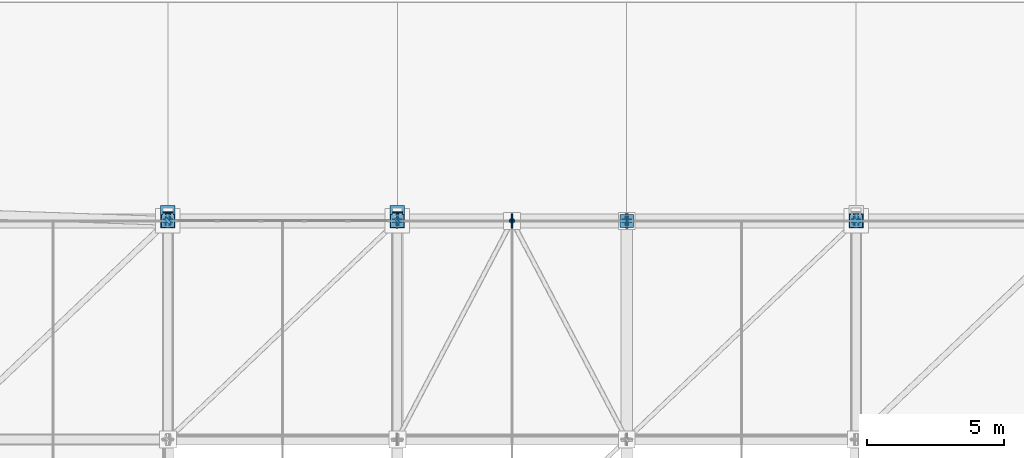
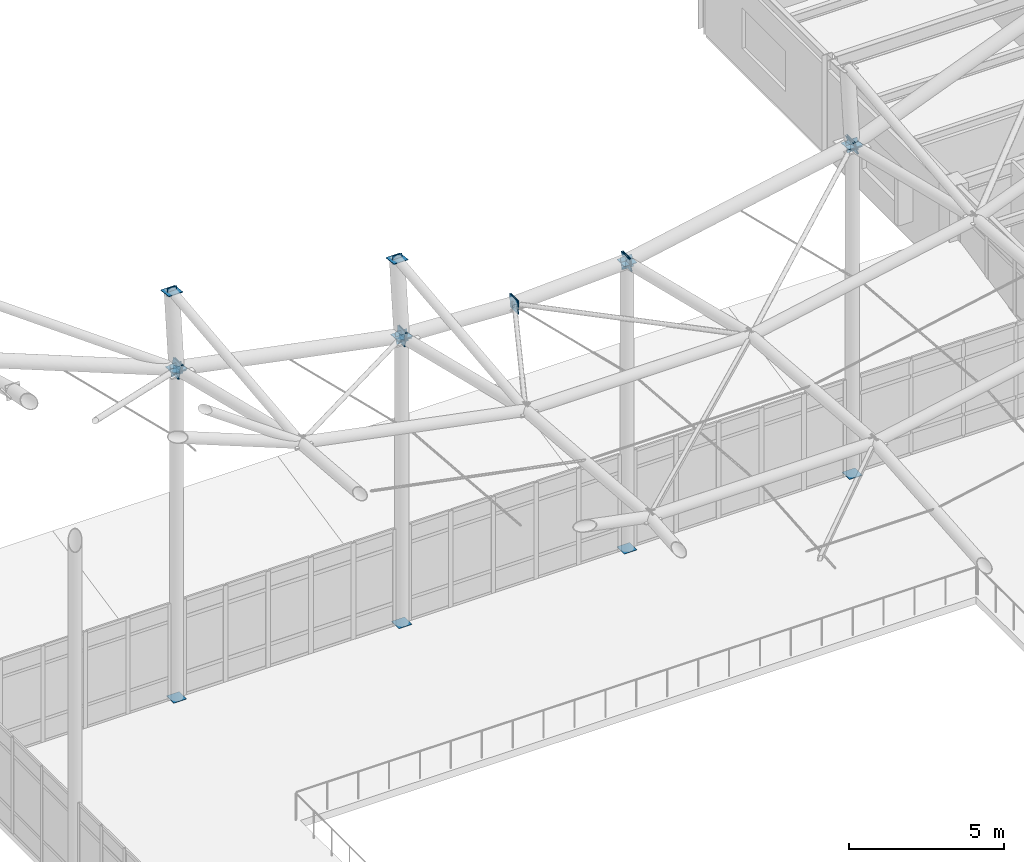
# One storey, part 111 of 138: 33 discrete accessories.
"""IFC4 building model written with IfcOpenShell, lengths in metres."""

from ifc_helpers import new_model, si_unit, direction, frame, origin, origin_2d, place, context, subcontext, project, spatial, rectangle, extrude, material, layer, layer_set, type_object, element, save


model = new_model("IFC4")

# Units and contexts
model_context = context("Model", 3, precision=1e-05, world=origin(), true_north=direction((0.0, 1.0)))
body_context = subcontext(model_context, "Body", "Model", "MODEL_VIEW")
ifc_project = project(units=[si_unit("LENGTHUNIT", "METRE"), si_unit("AREAUNIT", "SQUARE_METRE"), si_unit("VOLUMEUNIT", "CUBIC_METRE"), si_unit("PLANEANGLEUNIT", "RADIAN"), si_unit("MASSUNIT", "GRAM", prefix="KILO")], contexts=[model_context])

# Site, building, storey
site_placement = place(None, origin())
site = spatial("IfcSite", under=ifc_project, at=site_placement, CompositionType="ELEMENT")
building_placement = place(site_placement, origin())
building = spatial("IfcBuilding", under=site, at=building_placement, Name="Kranzveld Transit Interchange", CompositionType="ELEMENT")
storey_placement = place(building_placement, frame((0.0, 0.0, 5.43994140625)))
storey = spatial("IfcBuildingStorey", under=building, at=storey_placement, Name="L01", CompositionType="ELEMENT", Elevation=5.43994140625)

# Discrete accessories
ifc_material = material(Name="Steel S355JR", Category="steel")
ifc_layer = layer(ifc_material, 0.02001953125)
ifc_layer_set = layer_set([ifc_layer], Name="Steel S355JR")
discrete_accessory_type = type_object("IfcDiscreteAccessoryType", Name="Hollow Section End Cap Bracket 20 S355JR", PredefinedType="BRACKET", material=ifc_layer_set)
for number, where, z_axis, x_axis, name in (
    (1, (67.199951171875, 88.0, 0.004150390625), (0.0, 0.0, -1.0), (1.0, 0.0, 0.0), "Hollow Section End Cap C-CHS457-1"),
    (2, (67.199951171875, 88.0, 12.947998046875), (0.0, 0.0, 1.0), (1.0, 0.0, 0.0), "Hollow Section End Cap C-CHS457-2"),
    (3, (75.60009765625, 88.0, 0.004150390625), (0.0, 0.0, -1.0), (1.0, 0.0, 0.0), "Hollow Section End Cap C-CHS457-1"),
):
    element("IfcDiscreteAccessory", number, at=place(storey_placement, frame(where, z_axis=z_axis, x_axis=x_axis)), inside=storey, type_object=discrete_accessory_type, Name=name, PredefinedType="BRACKET", context=body_context, shape_type="SweptSolid", body=[
        extrude(rectangle(XDim=0.48095703125, YDim=0.48095703125, at=origin_2d()), origin(), (0.0, 0.0, 1.0), 0.02001953125),
    ])
discrete_accessory_1_placement = place(storey_placement, frame((75.60009765625, 88.0, 11.2841796875), z_axis=(0.0, 0.0, 1.0), x_axis=(1.0, 0.0, 0.0)))
element("IfcDiscreteAccessory", 4, at=discrete_accessory_1_placement, inside=storey, type_object=discrete_accessory_type, Name="Hollow Section End Cap C-CHS457-2", PredefinedType="BRACKET", context=body_context, shape_type="SweptSolid", body=[
    extrude(rectangle(XDim=0.48095703125, YDim=0.48095703125, at=origin_2d()), origin(), (0.0, 0.0, 1.0), 0.019775390625),
])
for number, where, z_axis, x_axis, name in (
    (5, (84.0, 88.0, 0.004150390625), (0.0, 0.0, -1.0), (1.0, 0.0, 0.0), "Hollow Section End Cap C-CHS457-1"),
    (6, (84.0, 88.0, 11.31396484375), (0.0, 0.0, 1.0), (1.0, 0.0, 0.0), "Hollow Section End Cap C-CHS457-2"),
    (7, (92.39990234375, 88.0, 0.004150390625), (0.0, 0.0, -1.0), (1.0, 0.0, 0.0), "Hollow Section End Cap C-CHS457-1"),
    (8, (92.39990234375, 88.0, 12.947998046875), (0.0, 0.0, 1.0), (1.0, 0.0, 0.0), "Hollow Section End Cap C-CHS457-2"),
):
    element("IfcDiscreteAccessory", number, at=place(storey_placement, frame(where, z_axis=z_axis, x_axis=x_axis)), inside=storey, type_object=discrete_accessory_type, Name=name, PredefinedType="BRACKET", context=body_context, shape_type="SweptSolid", body=[
        extrude(rectangle(XDim=0.48095703125, YDim=0.48095703125, at=origin_2d()), origin(), (0.0, 0.0, 1.0), 0.02001953125),
    ])
for number, where, z_axis, x_axis, name in (
    (9, (92.40380859375, 88.0, 12.983642578125), (-0.927643517938, 0.0, -0.373466870858), (0.0, -1.0, 0.0), "Hollow Section End Cap B-RNG508-2"),
    (10, (92.39599609375, 88.0, 12.981201171875), (0.981043742203, 0.0, 0.193786418213), (0.0, 1.0, 0.0), "Hollow Section End Cap B-RNG508-1"),
):
    element("IfcDiscreteAccessory", number, at=place(storey_placement, frame(where, z_axis=z_axis, x_axis=x_axis)), inside=storey, type_object=discrete_accessory_type, Name=name, PredefinedType="BRACKET", context=body_context, shape_type="SweptSolid", body=[
        extrude(rectangle(XDim=0.531982421875, YDim=0.531982421875, at=origin_2d()), origin(), (0.0, 0.0, 1.0), 0.020263671875),
    ])
discrete_accessory_2_placement = place(storey_placement, frame((84.00390625, 88.0, 11.31884765625), z_axis=(-0.980580675691, 0.0, -0.196116135138), x_axis=(0.0, -1.0, 0.0)))
element("IfcDiscreteAccessory", 11, at=discrete_accessory_2_placement, inside=storey, type_object=discrete_accessory_type, Name="Hollow Section End Cap B-RNG508-2", PredefinedType="BRACKET", context=body_context, shape_type="SweptSolid", body=[
    extrude(rectangle(XDim=0.531982421875, YDim=0.531982421875, at=origin_2d()), origin(), (0.0, 0.0, 1.0), 0.02001953125),
])
discrete_accessory_3_placement = place(storey_placement, frame((83.99609375, 88.0, 11.31787109375), z_axis=(0.99878289929, 0.0, 0.049322612311), x_axis=(0.0, 1.0, 0.0)))
element("IfcDiscreteAccessory", 12, at=discrete_accessory_3_placement, inside=storey, type_object=discrete_accessory_type, Name="Hollow Section End Cap B-RNG508-1", PredefinedType="BRACKET", context=body_context, shape_type="SweptSolid", body=[
    extrude(rectangle(XDim=0.531982421875, YDim=0.531982421875, at=origin_2d()), origin(), (0.0, 0.0, 1.0), 0.019775390625),
])
for number, where, z_axis, x_axis, name in (
    (13, (79.803955078125, 88.0, 11.1103515625), (-0.998812351125, 0.0, -0.048722553713), (0.0, -1.0, 0.0), "Hollow Section End Cap B-RNG508-2"),
    (14, (79.7958984375, 88.0, 11.1103515625), (0.998812351125, 0.0, -0.048722553713), (0.0, 1.0, 0.0), "Hollow Section End Cap B-RNG508-1"),
    (15, (75.60400390625, 88.0, 11.31787109375), (-0.998812351125, 0.0, 0.048722553713), (0.0, -1.0, 0.0), "Hollow Section End Cap B-RNG508-2"),
    (16, (75.59619140625, 88.0, 11.31884765625), (0.980580675691, 0.0, -0.196116135138), (0.0, 1.0, 0.0), "Hollow Section End Cap B-RNG508-1"),
    (17, (67.203857421875, 88.0, 12.981201171875), (-0.980580675691, 0.0, 0.196116135138), (0.0, -1.0, 0.0), "Hollow Section End Cap B-RNG508-2"),
    (18, (67.1962890625, 88.0, 12.983642578125), (0.925934612024, 0.0, -0.377683854905), (0.0, 1.0, 0.0), "Hollow Section End Cap B-RNG508-1"),
    (19, (67.199951171875, 88.00048828125, 13.006103515625), (0.0, -0.109100928002, -0.994030677348), (1.0, 0.0, 0.0), "Hollow Section End Cap C-MST508-1"),
):
    element("IfcDiscreteAccessory", number, at=place(storey_placement, frame(where, z_axis=z_axis, x_axis=x_axis)), inside=storey, type_object=discrete_accessory_type, Name=name, PredefinedType="BRACKET", context=body_context, shape_type="SweptSolid", body=[
        extrude(rectangle(XDim=0.531982421875, YDim=0.531982421875, at=origin_2d()), origin(), (0.0, 0.0, 1.0), 0.02001953125),
    ])
discrete_accessory_4_placement = place(storey_placement, frame((67.199951171875, 88.299560546875, 15.828125), z_axis=(0.0, 0.110431526075, 0.993883734674), x_axis=(-1.0, 0.0, 0.0)))
element("IfcDiscreteAccessory", 20, at=discrete_accessory_4_placement, inside=storey, type_object=discrete_accessory_type, Name="Hollow Section End Cap C-MST508-2", PredefinedType="BRACKET", context=body_context, shape_type="SweptSolid", body=[
    extrude(rectangle(XDim=0.531982421875, YDim=0.531982421875, at=origin_2d()), origin(), (0.0, 0.0, 1.0), 0.019775390625),
])
discrete_accessory_5_placement = place(storey_placement, frame((67.199951171875, 88.296142578125, 15.83154296875), z_axis=(0.0, 0.993883734674, 0.110431526075), x_axis=(-1.0, 0.0, 0.0)))
element("IfcDiscreteAccessory", 21, at=discrete_accessory_5_placement, inside=storey, type_object=discrete_accessory_type, Name="Hollow Section End Cap ST-CHS324-2", PredefinedType="BRACKET", context=body_context, shape_type="SweptSolid", body=[
    extrude(rectangle(XDim=0.347900390625, YDim=0.347900390625, at=origin_2d()), origin(), (0.0, 0.0, 1.0), 0.019775390625),
])
discrete_accessory_6_placement = place(storey_placement, frame((75.60009765625, 88.00048828125, 11.342041015625), z_axis=(0.0, -0.110431526075, -0.993883734674), x_axis=(1.0, 0.0, 0.0)))
element("IfcDiscreteAccessory", 22, at=discrete_accessory_6_placement, inside=storey, type_object=discrete_accessory_type, Name="Hollow Section End Cap C-MST508-1", PredefinedType="BRACKET", context=body_context, shape_type="SweptSolid", body=[
    extrude(rectangle(XDim=0.531982421875, YDim=0.531982421875, at=origin_2d()), origin(), (0.0, 0.0, 1.0), 0.019775390625),
])
discrete_accessory_7_placement = place(storey_placement, frame((75.60009765625, 88.299560546875, 14.1640625), z_axis=(0.0, 0.109100928002, 0.994030677348), x_axis=(-1.0, 0.0, 0.0)))
element("IfcDiscreteAccessory", 23, at=discrete_accessory_7_placement, inside=storey, type_object=discrete_accessory_type, Name="Hollow Section End Cap C-MST508-2", PredefinedType="BRACKET", context=body_context, shape_type="SweptSolid", body=[
    extrude(rectangle(XDim=0.531982421875, YDim=0.531982421875, at=origin_2d()), origin(), (0.0, 0.0, 1.0), 0.02001953125),
])
discrete_accessory_8_placement = place(storey_placement, frame((75.60009765625, 88.296142578125, 14.167724609375), z_axis=(0.0, 0.995158089271, 0.098287218693), x_axis=(-1.0, 0.0, 0.0)))
element("IfcDiscreteAccessory", 24, at=discrete_accessory_8_placement, inside=storey, type_object=discrete_accessory_type, Name="Hollow Section End Cap ST-CHS324-2", PredefinedType="BRACKET", context=body_context, shape_type="SweptSolid", body=[
    extrude(rectangle(XDim=0.347900390625, YDim=0.347900390625, at=origin_2d()), origin(), (0.0, 0.0, 1.0), 0.019775390625),
])
discrete_accessory_9_placement = place(storey_placement, frame((92.39990234375, 88.00048828125, 13.006103515625), z_axis=(0.0, -0.109100928002, -0.994030677348), x_axis=(1.0, 0.0, 0.0)))
element("IfcDiscreteAccessory", 25, at=discrete_accessory_9_placement, inside=storey, type_object=discrete_accessory_type, Name="Hollow Section End Cap C-MST508-1", PredefinedType="BRACKET", context=body_context, shape_type="SweptSolid", body=[
    extrude(rectangle(XDim=0.531982421875, YDim=0.531982421875, at=origin_2d()), origin(), (0.0, 0.0, 1.0), 0.02001953125),
])
for number, where, z_axis, x_axis, name in (
    (26, (67.199951171875, 87.99609375, 12.953125), (0.0, 0.970142500145, -0.242535625036), (-1.0, 0.0, 0.0), "Hollow Section End Cap B-RIB406-2"),
    (27, (75.60009765625, 87.99609375, 11.2890625), (0.0, 0.970142500145, -0.242535625036), (-1.0, 0.0, 0.0), "Hollow Section End Cap B-RIB406-2"),
    (28, (84.0, 87.99609375, 11.2890625), (0.0, 0.970142500145, -0.242535625036), (-1.0, 0.0, 0.0), "Hollow Section End Cap B-RIB406-2"),
    (29, (92.39990234375, 87.99609375, 12.953125), (0.0, 0.970142500145, -0.242535625036), (-1.0, 0.0, 0.0), "Hollow Section End Cap B-RIB406-2"),
):
    element("IfcDiscreteAccessory", number, at=place(storey_placement, frame(where, z_axis=z_axis, x_axis=x_axis)), inside=storey, type_object=discrete_accessory_type, Name=name, PredefinedType="BRACKET", context=body_context, shape_type="SweptSolid", body=[
        extrude(rectangle(XDim=0.430419921875, YDim=0.430419921875, at=origin_2d()), origin(), (0.0, 0.0, 1.0), 0.02001953125),
    ])
discrete_accessory_10_placement = place(storey_placement, frame((67.197265625, 87.99755859375, 12.93359375), z_axis=(0.664392123473, 0.627481449947, -0.406017408789), x_axis=(-0.686623532964, 0.72701315255, 0.0)))
element("IfcDiscreteAccessory", 30, at=discrete_accessory_10_placement, inside=storey, type_object=discrete_accessory_type, Name="Hollow Section End Cap BR-CHS219-2", PredefinedType="BRACKET", context=body_context, shape_type="SweptSolid", body=[
    extrude(rectangle(XDim=0.2431640625, YDim=0.2431640625, at=origin_2d()), origin(), (0.0, 0.0, 1.0), 0.019775390625),
])
discrete_accessory_11_placement = place(storey_placement, frame((75.59716796875, 87.997314453125, 11.269287109375), z_axis=(0.691735347419, 0.655328223871, -0.303392696236), x_axis=(-0.687744647911, 0.725952683906, 0.0)))
element("IfcDiscreteAccessory", 31, at=discrete_accessory_11_placement, inside=storey, type_object=discrete_accessory_type, Name="Hollow Section End Cap BR-CHS168-2", PredefinedType="BRACKET", context=body_context, shape_type="SweptSolid", body=[
    extrude(rectangle(XDim=0.1923828125, YDim=0.1923828125, at=origin_2d()), origin(), (0.0, 0.0, 1.0), 0.02001953125),
])
for number, where, z_axis, x_axis, name in (
    (32, (79.798095703125, 87.99658203125, 11.111083984375), (0.45440694448, 0.859688813881, -0.233344106625), (-0.884094940295, 0.467307325584, 0.0), "Hollow Section End Cap BR-CHS168-2"),
    (33, (79.8017578125, 87.99658203125, 11.111083984375), (-0.45440694448, 0.859688813881, -0.233344106625), (-0.884094940295, -0.467307325584, 0.0), "Hollow Section End Cap BR-CHS168-2"),
):
    element("IfcDiscreteAccessory", number, at=place(storey_placement, frame(where, z_axis=z_axis, x_axis=x_axis)), inside=storey, type_object=discrete_accessory_type, Name=name, PredefinedType="BRACKET", context=body_context, shape_type="SweptSolid", body=[
        extrude(rectangle(XDim=0.1923828125, YDim=0.1923828125, at=origin_2d()), origin(), (0.0, 0.0, 1.0), 0.019775390625),
    ])

save(model, "model.ifc")
